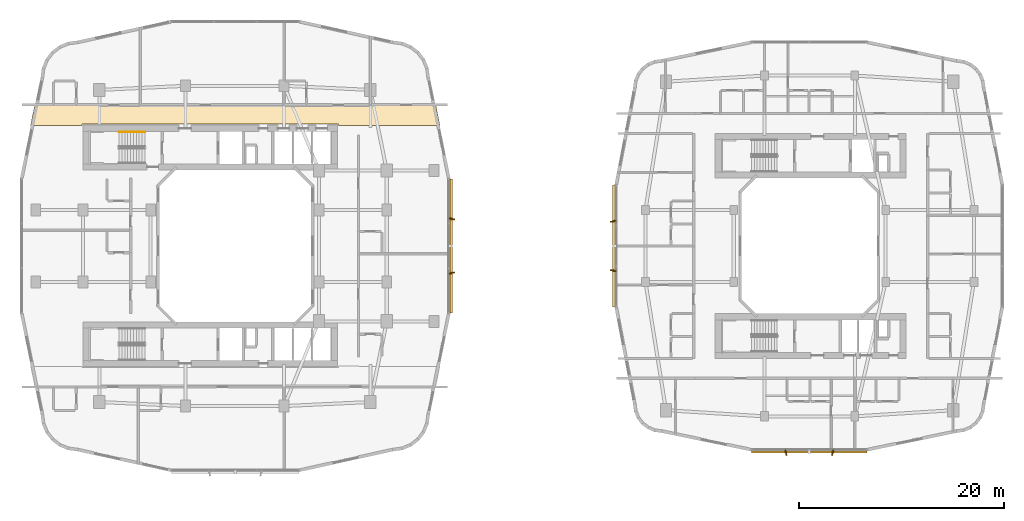
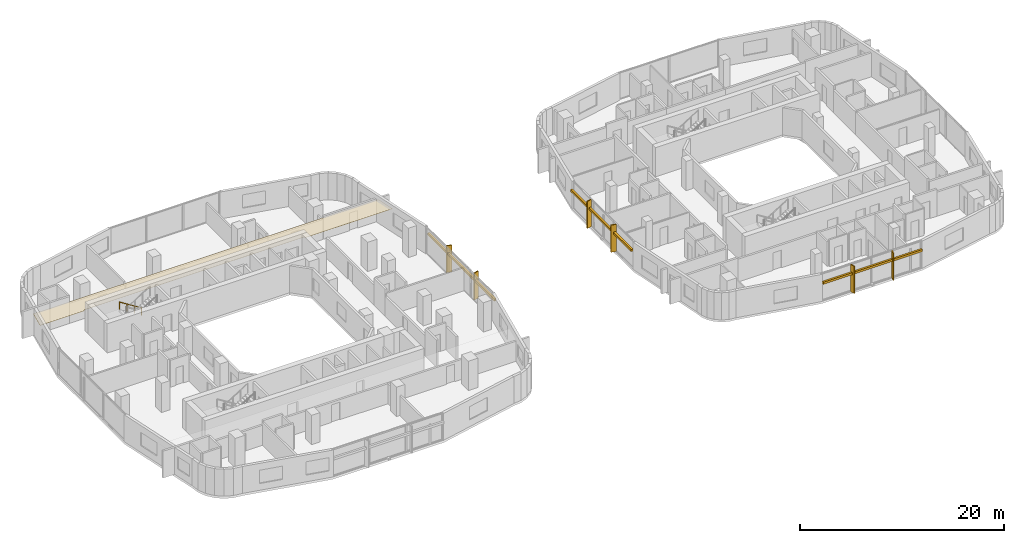
# One storey, part 25 of 26: 9 shading devices, 1 covering, 1 railing.
"""IFC4 building model written with IfcOpenShell, lengths in metres."""

from ifc_helpers import new_model, si_unit, derived_unit, direction, frame, origin, origin_2d, place, context, subcontext, project, spatial, polyline, rectangle, circle, outline, extrude, material, layer, layer_set, type_object, element, save


model = new_model("IFC4")

# Units and contexts
model_context = context("Model", 3, precision=1e-05, world=origin(), true_north=direction((0.0, 1.0)))
body_context = subcontext(model_context, "Body", "Model", "MODEL_VIEW")
ifc_project = project(units=[si_unit("LENGTHUNIT", "METRE"), si_unit("AREAUNIT", "SQUARE_METRE"), si_unit("VOLUMEUNIT", "CUBIC_METRE"), si_unit("PLANEANGLEUNIT", "RADIAN"), si_unit("MASSUNIT", "GRAM", prefix="KILO"), derived_unit("THERMALTRANSMITTANCEUNIT", [(si_unit("POWERUNIT", "WATT"), 1), (si_unit("LENGTHUNIT", "METRE"), -2), (si_unit("THERMODYNAMICTEMPERATUREUNIT", "KELVIN"), -1)])], contexts=[model_context])

# Site, building, storey
site_placement = place(None, origin())
site = spatial("IfcSite", under=ifc_project, at=site_placement, CompositionType="ELEMENT")
building_placement = place(site_placement, origin())
building = spatial("IfcBuilding", under=site, at=building_placement, Name="Kivonza Crest Hotel", CompositionType="ELEMENT")
storey_placement = place(building_placement, frame((0.0, 0.0, 45.0)))
storey = spatial("IfcBuildingStorey", under=building, at=storey_placement, Name="L11", CompositionType="ELEMENT", Elevation=45.0)

# Covering
ifc_material_1 = material(Name="Mineral-fibre acoustic ceiling tile", Category="gypsum")
ifc_layer = layer(ifc_material_1, 0.02490234375)
ifc_layer_set = layer_set([ifc_layer], Name="Mineral-fibre acoustic ceiling tile")
covering_type = type_object("IfcCoveringType", Name="CV-CEIL-ACOU", PredefinedType="CEILING", material=ifc_layer_set)
covering_placement = place(storey_placement, frame((0.0, 0.0, 2.449951171875)))
element("IfcCovering", 1, at=covering_placement, inside=storey, type_object=covering_type, Name="L11 Hotel North Guest Corridor suspended ceiling", PredefinedType="CEILING", context=body_context, shape_type="SweptSolid", body=[
    extrude(outline(polyline([(1.506103515625, 38.7900390625), (1.083984375, 36.719970703125), (6.10009765625, 36.719970703125), (6.10009765625, 36.860107421875), (31.10009765625, 36.860107421875), (31.10009765625, 36.719970703125), (40.99609375, 36.719970703125), (40.573974609375, 38.7900390625), (1.506103515625, 38.7900390625)])), origin(), (0.0, 0.0, 1.0), 0.025146484375),
])

# Railing
ifc_material_2 = material(Name="Brushed stainless steel handrail", Category="steel")
railing_type = type_object("IfcRailingType", Name="RL-HAND-900", PredefinedType="HANDRAIL", material=ifc_material_2)
railing_placement = place(storey_placement, frame((12.239990234375, 36.110107421875, 0.175048828125)))
element("IfcRailing", 2, at=railing_placement, inside=storey, type_object=railing_type, Name="L11 ST-T1-N stair handrail 1", PredefinedType="HANDRAIL", context=body_context, shape_type="SweptSolid", body=[
    extrude(circle(Radius=0.02392578125, at=origin_2d()), frame((0.0, 0.0, 0.8759765625), z_axis=(-0.848007534815, 0.0, 0.529984170421), x_axis=(0.0, -1.0, 0.0)), (0.0, 0.0, 1.0), 2.9716796875),
    extrude(circle(Radius=0.02099609375, at=origin_2d()), origin(), (0.0, 0.0, 1.0), 0.851806640625),
    extrude(circle(Radius=0.02099609375, at=origin_2d()), frame((-0.840087890625, 0.0, 0.52490234375)), (0.0, 0.0, 1.0), 0.851806640625),
    extrude(circle(Radius=0.02099609375, at=origin_2d()), frame((-1.679931640625, 0.0, 1.050048828125)), (0.0, 0.0, 1.0), 0.851806640625),
    extrude(circle(Radius=0.02099609375, at=origin_2d()), frame((-2.52001953125, 0.0, 1.574951171875)), (0.0, 0.0, 1.0), 0.851806640625),
])

# Shading devices
ifc_material_3 = material(Name="Kiln-fired Nairobi red-ochre terracotta", Category="masonry")
shading_device_type_1 = type_object("IfcShadingDeviceType", Name="SH-BAGUETTE-300", PredefinedType="USERDEFINED", material=ifc_material_3)
shading_device_1_placement = place(storey_placement, frame((42.080078125, 25.0, 2.1240234375), z_axis=(0.0, 0.0, 1.0), x_axis=(0.0, 1.0, 0.0)))
element("IfcShadingDevice", 3, at=shading_device_1_placement, inside=storey, type_object=shading_device_type_1, Name="L11 terracotta baguette screen CW-T1-L11-17", ObjectType="BAGUETTE", PredefinedType="USERDEFINED", context=body_context, shape_type="SweptSolid", body=[
    extrude(rectangle(XDim=13.080078125, YDim=0.219970703125, at=origin_2d()), origin(), (0.0, 0.0, 1.0), 0.260009765625),
])
shading_device_2_placement = place(storey_placement, frame((76.9599609375, 4.919921875, 2.14501953125), z_axis=(0.0, 0.0, 1.0), x_axis=(1.0, 0.0, 0.0)))
element("IfcShadingDevice", 4, at=shading_device_2_placement, inside=storey, type_object=shading_device_type_1, Name="L11 terracotta baguette screen CW-T2-L11-08", ObjectType="BAGUETTE", PredefinedType="USERDEFINED", context=body_context, shape_type="SweptSolid", body=[
    extrude(rectangle(XDim=11.256103515625, YDim=0.219970703125, at=origin_2d()), origin(), (0.0, 0.0, 1.0), 0.260009765625),
])
shading_device_3_placement = place(storey_placement, frame((57.919921875, 25.0, 2.14501953125), z_axis=(0.0, 0.0, 1.0), x_axis=(0.0, -1.0, 0.0)))
element("IfcShadingDevice", 5, at=shading_device_3_placement, inside=storey, type_object=shading_device_type_1, Name="L11 terracotta baguette screen CW-T2-L11-35", ObjectType="BAGUETTE", PredefinedType="USERDEFINED", context=body_context, shape_type="SweptSolid", body=[
    extrude(rectangle(XDim=11.8798828125, YDim=0.219970703125, at=origin_2d()), origin(), (0.0, 0.0, 1.0), 0.260009765625),
])
ifc_material_4 = material(Name="Kiln-fired terracotta over extruded aluminium spine", Category="masonry")
shading_device_type_2 = type_object("IfcShadingDeviceType", Name="SH-FIN-550", PredefinedType="USERDEFINED", material=ifc_material_4)
for number, where, z_axis, x_axis, name in (
    (6, (42.139892578125, 22.360107421875, 0.0), (0.0, 0.0, 1.0), (-0.2419218956, 0.970295726276, 0.0), "L11 vertical solar shading fin CW-T1-L11-17-1"),
    (7, (42.139892578125, 27.639892578125, 0.0), (0.0, 0.0, 1.0), (0.2419218956, 0.970295726276, 0.0), "L11 vertical solar shading fin CW-T1-L11-17-2"),
):
    element("IfcShadingDevice", number, at=place(storey_placement, frame(where, z_axis=z_axis, x_axis=x_axis)), inside=storey, type_object=shading_device_type_2, Name=name, ObjectType="FIN", PredefinedType="USERDEFINED", context=body_context, shape_type="SweptSolid", body=[
        extrude(rectangle(XDim=0.1201171875, YDim=0.550048828125, at=origin_2d()), origin(), (0.0, 0.0, 1.0), 3.219970703125),
    ])
for number, where, z_axis, x_axis, name in (
    (8, (74.68505859375, 4.860107421875, 0.0), (0.0, 0.0, 1.0), (0.970295726276, 0.2419218956, 0.0), "L11 vertical solar shading fin CW-T2-L11-08-1"),
    (9, (79.235107421875, 4.860107421875, 0.0), (0.0, 0.0, 1.0), (0.970295726276, -0.2419218956, 0.0), "L11 vertical solar shading fin CW-T2-L11-08-2"),
    (10, (57.860107421875, 27.39990234375, 0.0), (0.0, 0.0, 1.0), (0.2419218956, -0.970295726276, 0.0), "L11 vertical solar shading fin CW-T2-L11-35-1"),
    (11, (57.860107421875, 22.60009765625, 0.0), (0.0, 0.0, 1.0), (-0.2419218956, -0.970295726276, 0.0), "L11 vertical solar shading fin CW-T2-L11-35-2"),
):
    element("IfcShadingDevice", number, at=place(storey_placement, frame(where, z_axis=z_axis, x_axis=x_axis)), inside=storey, type_object=shading_device_type_2, Name=name, ObjectType="FIN", PredefinedType="USERDEFINED", context=body_context, shape_type="SweptSolid", body=[
        extrude(rectangle(XDim=0.1201171875, YDim=0.550048828125, at=origin_2d()), origin(), (0.0, 0.0, 1.0), 3.25),
    ])

save(model, "model.ifc")
